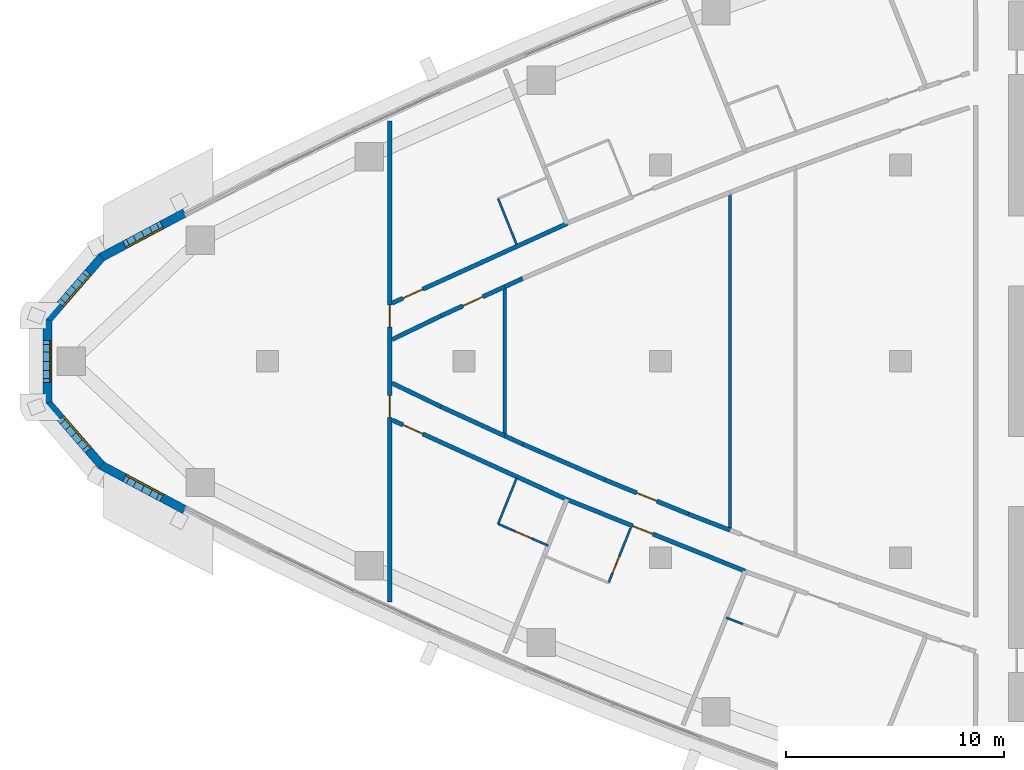
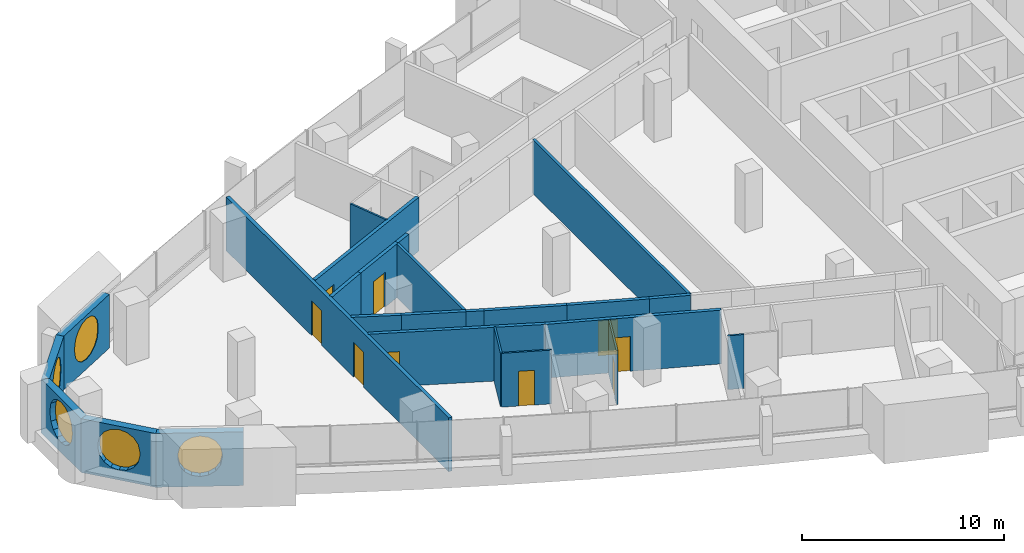
# One storey, part 9 of 17: 25 walls, 9 doors, 5 windows, 14 openings.
"""IFC4 building model written with IfcOpenShell, lengths in metres."""

import ifcopenshell
import ifcopenshell.guid

model = None  # the IFC model being written
_history = None  # IfcOwnerHistory: only IFC2X3 demands one
_inside = {}  # id of a spatial element -> (the spatial element, [elements in it])
_under = {}  # id of a project, library or spatial element -> (it, [spatial elements below it])
_declared = {}  # id of a project -> (the project, [libraries it declares])
_typed = {}  # id of a type object -> (the type object, [elements of that type])
_made_of = {}  # id of a material, layer set ... -> (it, [elements and type objects made of it])


def new_model(schema):
    """Start an empty IFC model of exactly this schema.

    Asked for "IFC4X3", IfcOpenShell would pick the latest addendum, in which some entities
    have other attributes; the version numbers below select the first issue.
    IFC2X3 requires an IfcOwnerHistory on every rooted entity: one is made here for all.
    """
    global model, _history
    if schema == "IFC4X3":
        model = ifcopenshell.file(schema_version=(4, 3, 0, 0))
    else:
        model = ifcopenshell.file(schema=schema)
    _inside.clear()
    _under.clear()
    _declared.clear()
    _typed.clear()
    _made_of.clear()
    _history = None
    if model.schema == "IFC2X3":
        org = make("IfcOrganization", Name="unknown")
        user = make(
            "IfcPersonAndOrganization",
            ThePerson=make("IfcPerson", FamilyName="unknown"),
            TheOrganization=org,
        )
        app = make(
            "IfcApplication",
            ApplicationDeveloper=org,
            Version="unknown",
            ApplicationFullName="unknown",
            ApplicationIdentifier="unknown",
        )
        _history = make(
            "IfcOwnerHistory",
            OwningUser=user,
            OwningApplication=app,
            ChangeAction="ADDED",
            CreationDate=0,
        )
    return model


def make(cls, **values):
    """One entity of the class cls with the attributes given. An attribute that is None is left unset."""
    return model.create_entity(
        cls, **{name: value for name, value in values.items() if value is not None}
    )


def rooted(cls, **values):
    """An entity with a GlobalId (a new one), such as an element, a storey or a relation."""
    return make(cls, GlobalId=ifcopenshell.guid.new(), OwnerHistory=_history, **values)


def si_unit(unit_type, name, prefix=None):
    """IfcSIUnit, for example si_unit("LENGTHUNIT", "METRE", prefix="MILLI")."""
    return make("IfcSIUnit", UnitType=unit_type, Prefix=prefix, Name=name)


def assignment(units):
    """IfcUnitAssignment: the units of a project."""
    return None if units is None else make("IfcUnitAssignment", Units=units)


def point(xyz):
    """IfcCartesianPoint."""
    return None if xyz is None else make("IfcCartesianPoint", Coordinates=xyz)


def direction(xyz):
    """IfcDirection."""
    return None if xyz is None else make("IfcDirection", DirectionRatios=xyz)


def frame(location, z_axis=None, x_axis=None):
    """IfcAxis2Placement3D, a coordinate frame: its origin and axes. An axis left out is left unset."""
    return make(
        "IfcAxis2Placement3D",
        Location=point(location),
        Axis=direction(z_axis),
        RefDirection=direction(x_axis),
    )


def frame_2d(location, x_axis=None):
    """IfcAxis2Placement2D, a coordinate frame in the plane: its origin and x axis."""
    return make(
        "IfcAxis2Placement2D", Location=point(location), RefDirection=direction(x_axis)
    )


def origin():
    """The frame at (0, 0, 0) with its axes left unset."""
    return frame((0.0, 0.0, 0.0))


def place(relative_to, where):
    """IfcLocalPlacement: puts the frame where relative to a parent placement (None: the world)."""
    return make(
        "IfcLocalPlacement", PlacementRelTo=relative_to, RelativePlacement=where
    )


def context(
    kind, dimensions, precision=None, world=None, true_north=None, identifier=None
):
    """IfcGeometricRepresentationContext, for example the 3D "Model" context."""
    return make(
        "IfcGeometricRepresentationContext",
        ContextIdentifier=identifier,
        ContextType=kind,
        CoordinateSpaceDimension=dimensions,
        Precision=precision,
        WorldCoordinateSystem=world,
        TrueNorth=true_north,
    )


def subcontext(parent, identifier, kind, view, scale=None):
    """IfcGeometricRepresentationSubContext, for example "Body" below "Model"."""
    return make(
        "IfcGeometricRepresentationSubContext",
        ContextIdentifier=identifier,
        ContextType=kind,
        ParentContext=parent,
        TargetScale=scale,
        TargetView=view,
    )


def project(units=None, contexts=None):
    """IfcProject with its units and contexts."""
    return rooted(
        "IfcProject",
        Name="project",
        RepresentationContexts=contexts,
        UnitsInContext=assignment(units),
    )


def spatial(cls, under=None, at=None, **own):
    """A site, building, storey or space (cls), placed at a placement, below another one or the project."""
    s = rooted(cls, ObjectPlacement=at, **own)
    if under is not None:
        _under.setdefault(under.id(), (under, []))[1].append(s)
    return s


def polyline(points):
    """IfcPolyline through the points."""
    return make("IfcPolyline", Points=[point(p) for p in points])


def profile(cls, at=None, kind="AREA", **sizes):
    """A parametric profile (cls). Its sizes go by their IFC names, for example OverallWidth=200.0."""
    return make(cls, ProfileType=kind, Position=at, **sizes)


def rectangle(**sizes):
    """IfcRectangleProfileDef."""
    return profile("IfcRectangleProfileDef", **sizes)


def outline(outer, holes=None, kind="AREA"):
    """IfcArbitraryClosedProfileDef: a profile drawn as a closed curve; with holes, ...WithVoids."""
    if holes is None:
        return make("IfcArbitraryClosedProfileDef", ProfileType=kind, OuterCurve=outer)
    return make(
        "IfcArbitraryProfileDefWithVoids",
        ProfileType=kind,
        OuterCurve=outer,
        InnerCurves=holes,
    )


def extrude(swept, where, along, depth):
    """IfcExtrudedAreaSolid: the profile swept, set in the frame where, extruded along a direction by depth."""
    return make(
        "IfcExtrudedAreaSolid",
        SweptArea=swept,
        Position=where,
        ExtrudedDirection=direction(along),
        Depth=depth,
    )


def shape(context_of_items, identifier, shape_type, items):
    """IfcShapeRepresentation: the items that make up one representation, for example the "Body"."""
    return make(
        "IfcShapeRepresentation",
        ContextOfItems=context_of_items,
        RepresentationIdentifier=identifier,
        RepresentationType=shape_type,
        Items=items,
    )


def material(Name=None, Category=None):
    """IfcMaterial."""
    return make("IfcMaterial", Name=Name, Category=Category)


def layer(
    of_material, thickness, ventilated=None, Name=None, Category=None, Priority=None
):
    """IfcMaterialLayer: one layer of a wall or slab, of a material (None: an air gap)."""
    return make(
        "IfcMaterialLayer",
        Material=of_material,
        LayerThickness=thickness,
        IsVentilated=ventilated,
        Name=Name,
        Category=Category,
        Priority=Priority,
    )


def layer_set(layers, Name=None):
    """IfcMaterialLayerSet."""
    return make("IfcMaterialLayerSet", MaterialLayers=layers, LayerSetName=Name)


def made_of(thing, what):
    """Note that an element or type object is made of a material, layer set ...; save() writes the relation."""
    if what is not None:
        _made_of.setdefault(what.id(), (what, []))[1].append(thing)
    return thing


def type_object(cls, material=None, **own):
    """A type object (cls), such as IfcWallType, which elements share."""
    return made_of(rooted(cls, **own), material)


def element(
    cls,
    number,
    at=None,
    inside=None,
    cuts=None,
    type_object=None,
    material=None,
    context=None,
    identifier="Body",
    shape_type=None,
    held_by="IfcProductDefinitionShape",
    body=None,
    shapes=None,
    **own,
):
    """One element of the class cls, such as IfcWall. Its Tag is "e" and its number.

    at: its placement. inside: the storey or other place that contains it. cuts: it is an
    opening in that element (IfcRelVoidsElement). A single representation is given by context,
    identifier, shape_type and body (its items); several are given by shapes. held_by: the class
    of the entity that holds the representations. save() writes the other relations.
    """
    e = rooted(cls, Tag="e%d" % number, ObjectPlacement=at, **own)
    if body is not None:
        shapes = [shape(context, identifier, shape_type, body)]
    if shapes is not None:
        e.Representation = make(held_by, Representations=shapes)
    if inside is not None:
        _inside.setdefault(inside.id(), (inside, []))[1].append(e)
    if cuts is not None:
        rooted(
            "IfcRelVoidsElement", RelatingBuildingElement=cuts, RelatedOpeningElement=e
        )
    if type_object is not None:
        _typed.setdefault(type_object.id(), (type_object, []))[1].append(e)
    return made_of(e, material)


def fill(opening, filler):
    """IfcRelFillsElement: the door or window that sits in an opening."""
    return rooted(
        "IfcRelFillsElement",
        RelatingOpeningElement=opening,
        RelatedBuildingElement=filler,
    )


def aggregate(whole, parts):
    """IfcRelAggregates: a whole, such as a stair, and the parts it consists of."""
    return rooted("IfcRelAggregates", RelatingObject=whole, RelatedObjects=parts)


def save(model, path):
    """Write the relations noted so far, then the file.

    IfcRelAggregates (storeys below a building ...), IfcRelContainedInSpatialStructure (elements
    in a storey), IfcRelDefinesByType, IfcRelAssociatesMaterial and IfcRelDeclares: one each for
    every whole, place, type object, material and project.
    """
    for whole, parts in _under.values():
        aggregate(whole, parts)
    for where, things in _inside.values():
        rooted(
            "IfcRelContainedInSpatialStructure",
            RelatedElements=things,
            RelatingStructure=where,
        )
    for kind, things in _typed.values():
        rooted("IfcRelDefinesByType", RelatedObjects=things, RelatingType=kind)
    for what, things in _made_of.values():
        rooted("IfcRelAssociatesMaterial", RelatedObjects=things, RelatingMaterial=what)
    for by, libraries in _declared.values():
        rooted("IfcRelDeclares", RelatingContext=by, RelatedDefinitions=libraries)
    model.write(path)


model = new_model("IFC4")

# Units and contexts
model_context = context("Model", 3, precision=1e-05, world=origin(), true_north=direction((0.0, 1.0)))
body_context = subcontext(model_context, "Body", "Model", "MODEL_VIEW")
ifc_project = project(units=[si_unit("LENGTHUNIT", "METRE"), si_unit("AREAUNIT", "SQUARE_METRE"), si_unit("VOLUMEUNIT", "CUBIC_METRE"), si_unit("PLANEANGLEUNIT", "RADIAN"), si_unit("MASSUNIT", "GRAM", prefix="KILO")], contexts=[model_context])

# Site, building, storey
site_placement = place(None, origin())
site = spatial("IfcSite", under=ifc_project, at=site_placement, CompositionType="ELEMENT")
building_placement = place(site_placement, origin())
building = spatial("IfcBuilding", under=site, at=building_placement, Name="Ostrand Prow Hotel Tower", CompositionType="ELEMENT")
storey_placement = place(building_placement, frame((0.0, 0.0, 196.800048828125)))
storey = spatial("IfcBuildingStorey", under=building, at=storey_placement, Name="L49", CompositionType="ELEMENT", Elevation=196.800048828125)

# Walls
ifc_material_1 = material(Name="Plasterboard partition")
ifc_layer_1 = layer(ifc_material_1, 0.10009765625)
ifc_layer_set_1 = layer_set([ifc_layer_1], Name="Plasterboard partition")
wall_type_1 = type_object("IfcWallType", Name="Partition 100 bathroom wall", PredefinedType="PARTITIONING", material=ifc_layer_set_1)
for number, where, z_axis, x_axis, name in (
    (1, (27.4189453125, 5.336181640625, 0.0), (0.0, 0.0, 1.0), (-0.373957926662, 0.927445669075, 0.0), "BATHROOM WALL"),
    (2, (26.567138671875, -7.44873046875, 0.0), (0.0, 0.0, 1.0), (0.373957926662, 0.927445669075, 0.0), "BATHROOM WALL"),
):
    element("IfcWall", number, at=place(storey_placement, frame(where, z_axis=z_axis, x_axis=x_axis)), inside=storey, type_object=wall_type_1, Name=name, PredefinedType="PARTITIONING", context=body_context, shape_type="SweptSolid", body=[
        extrude(rectangle(XDim=2.27783203125, YDim=0.10009765625, at=frame_2d((1.138916015625, 0.0))), origin(), (0.0, 0.0, 1.0), 3.25),
    ])

# Wall, opening, door
wall_1_placement = place(storey_placement, frame((28.861328125, -8.444091796875, 0.0), z_axis=(0.0, 0.0, 1.0), x_axis=(-0.917363173809, 0.398051262199, 0.0)))
wall_1 = element("IfcWall", 3, at=wall_1_placement, inside=storey, type_object=wall_type_1, Name="BATHROOM WALL", PredefinedType="PARTITIONING", context=body_context, shape_type="SweptSolid", body=[
    extrude(rectangle(XDim=2.50048828125, YDim=0.10009765625, at=frame_2d((1.250244140625, 0.0))), origin(), (0.0, 0.0, 1.0), 3.25),
])
opening_1_placement = place(wall_1_placement, frame((0.85009765625, 0.0, 0.0)))
opening_1 = element("IfcOpeningElement", 4, at=opening_1_placement, cuts=wall_1, Name="Opening D2", PredefinedType="OPENING", context=body_context, shape_type="SweptSolid", body=[
    extrude(rectangle(XDim=0.800048828125, YDim=2.10009765625, at=frame_2d((0.39990234375, 1.050048828125))), frame((0.0, 0.06005859375, 0.0), z_axis=(0.0, -1.0, 0.0), x_axis=(1.0, 0.0, 0.0)), (0.0, 0.0, 1.0), 0.1201171875),
])
ifc_material_2 = material(Name="Timber door leaf", Category="wood")
door_type_1 = type_object("IfcDoorType", Name="Bathroom door 800", OperationType="SINGLE_SWING_LEFT", PredefinedType="DOOR", material=ifc_material_2)
door_1_placement = place(opening_1_placement, origin())
door_1 = element("IfcDoor", 5, at=door_1_placement, inside=storey, type_object=door_type_1, Name="DOOR", OperationType="SINGLE_SWING_LEFT", OverallHeight=2.10009765625, OverallWidth=0.800048828125, PredefinedType="DOOR", context=body_context, shape_type="SweptSolid", body=[
    extrude(rectangle(XDim=0.800048828125, YDim=2.10009765625, at=frame_2d((0.39990234375, 1.050048828125))), frame((0.0, 0.02490234375, 0.0), z_axis=(0.0, -1.0, 0.0), x_axis=(1.0, 0.0, 0.0)), (0.0, 0.0, 1.0), 0.050048828125),
])
fill(opening_1, door_1)

wall_2_placement = place(storey_placement, frame((32.634521484375, -7.6435546875, 0.0), z_axis=(0.0, 0.0, 1.0), x_axis=(-0.373933172856, -0.927455649742, 0.0)))
wall_2 = element("IfcWall", 6, at=wall_2_placement, inside=storey, type_object=wall_type_1, Name="BATHROOM WALL", PredefinedType="PARTITIONING", context=body_context, shape_type="SweptSolid", body=[
    extrude(rectangle(XDim=2.697021484375, YDim=0.10009765625, at=frame_2d((1.3486328125, 0.0))), origin(), (0.0, 0.0, 1.0), 3.25),
])
opening_2_placement = place(wall_2_placement, frame((1.39990234375, 0.0, 0.0)))
opening_2 = element("IfcOpeningElement", 7, at=opening_2_placement, cuts=wall_2, Name="Opening D2", PredefinedType="OPENING", context=body_context, shape_type="SweptSolid", body=[
    extrude(rectangle(XDim=0.800048828125, YDim=2.10009765625, at=frame_2d((0.39990234375, 1.050048828125))), frame((0.0, 0.06005859375, 0.0), z_axis=(0.0, -1.0, 0.0), x_axis=(1.0, 0.0, 0.0)), (0.0, 0.0, 1.0), 0.1201171875),
])
door_2_placement = place(opening_2_placement, origin())
door_2 = element("IfcDoor", 8, at=door_2_placement, inside=storey, type_object=door_type_1, Name="DOOR", OperationType="SINGLE_SWING_LEFT", OverallHeight=2.10009765625, OverallWidth=0.800048828125, PredefinedType="DOOR", context=body_context, shape_type="SweptSolid", body=[
    extrude(rectangle(XDim=0.800048828125, YDim=2.10009765625, at=frame_2d((0.39990234375, 1.050048828125))), frame((0.0, 0.02490234375, 0.0), z_axis=(0.0, -1.0, 0.0), x_axis=(1.0, 0.0, 0.0)), (0.0, 0.0, 1.0), 0.050048828125),
])
fill(opening_2, door_2)

# Walls
wall_3_placement = place(storey_placement, frame((37.7802734375, -12.037353515625, 0.0), z_axis=(0.0, 0.0, 1.0), x_axis=(-0.9326493613, 0.360784102846, 0.0)))
element("IfcWall", 9, at=wall_3_placement, inside=storey, type_object=wall_type_1, Name="BATHROOM WALL", PredefinedType="PARTITIONING", context=body_context, shape_type="SweptSolid", body=[
    extrude(rectangle(XDim=0.8154296875, YDim=0.10009765625, at=frame_2d((0.40771484375, 0.0))), origin(), (0.0, 0.0, 1.0), 3.25),
])
ifc_material_3 = material(Name="Plasterboard partition")
ifc_layer_2 = layer(ifc_material_3, 0.14990234375)
ifc_layer_set_2 = layer_set([ifc_layer_2], Name="Plasterboard partition")
wall_type_2 = type_object("IfcWallType", Name="Partition 150 room partition", PredefinedType="PARTITIONING", material=ifc_layer_set_2)
wall_4_placement = place(storey_placement, frame((26.8662109375, -3.416259765625, 0.0), z_axis=(0.0, 0.0, 1.0), x_axis=(0.0, 1.0, 0.0)))
element("IfcWall", 10, at=wall_4_placement, inside=storey, type_object=wall_type_2, Name="ROOM PARTITION", PredefinedType="PARTITIONING", context=body_context, shape_type="SweptSolid", body=[
    extrude(rectangle(XDim=6.83251953125, YDim=0.14990234375, at=frame_2d((3.416259765625, 0.0))), origin(), (0.0, 0.0, 1.0), 3.25),
])
wall_5_placement = place(storey_placement, frame((37.1904296875, -7.73486328125, 0.0), z_axis=(0.0, 0.0, 1.0), x_axis=(0.0, 1.0, 0.0)))
element("IfcWall", 11, at=wall_5_placement, inside=storey, type_object=wall_type_2, Name="ROOM PARTITION", PredefinedType="PARTITIONING", context=body_context, shape_type="SweptSolid", body=[
    extrude(rectangle(XDim=15.4697265625, YDim=0.14990234375, at=frame_2d((7.73486328125, 0.0))), origin(), (0.0, 0.0, 1.0), 3.25),
])

# Wall, opening, door
ifc_material_4 = material(Name="Plasterboard partition")
ifc_layer_3 = layer(ifc_material_4, 0.199951171875)
ifc_layer_set_3 = layer_set([ifc_layer_3], Name="Plasterboard partition")
wall_type_3 = type_object("IfcWallType", Name="Partition 200 corridor wall", PredefinedType="PARTITIONING", material=ifc_layer_set_3)
wall_6_placement = place(storey_placement, frame((21.7041015625, 2.66259765625, 0.0), z_axis=(0.0, 0.0, 1.0), x_axis=(0.910233539732, 0.414095282692, 0.0)))
wall_6 = element("IfcWall", 12, at=wall_6_placement, inside=storey, type_object=wall_type_3, Name="CORRIDOR WALL", PredefinedType="PARTITIONING", context=body_context, shape_type="SweptSolid", body=[
    extrude(rectangle(XDim=8.808349609375, YDim=0.199951171875, at=frame_2d((4.404296875, 0.0))), origin(), (0.0, 0.0, 1.0), 3.25),
])
opening_3_placement = place(wall_6_placement, frame((0.550048828125, 0.0, 0.0)))
opening_3 = element("IfcOpeningElement", 13, at=opening_3_placement, cuts=wall_6, Name="Opening D1R", PredefinedType="OPENING", context=body_context, shape_type="SweptSolid", body=[
    extrude(rectangle(XDim=1.0, YDim=2.10009765625, at=frame_2d((0.5, 1.050048828125))), frame((0.0, 0.10986328125, 0.0), z_axis=(0.0, -1.0, 0.0), x_axis=(1.0, 0.0, 0.0)), (0.0, 0.0, 1.0), 0.219970703125),
])
ifc_material_5 = material(Name="Timber door leaf", Category="wood")
door_type_2 = type_object("IfcDoorType", Name="Guest room door 1000 right", OperationType="SINGLE_SWING_RIGHT", PredefinedType="DOOR", material=ifc_material_5)
door_3_placement = place(opening_3_placement, origin())
door_3 = element("IfcDoor", 14, at=door_3_placement, inside=storey, type_object=door_type_2, Name="DOOR", OperationType="SINGLE_SWING_RIGHT", OverallHeight=2.10009765625, OverallWidth=1.0, PredefinedType="DOOR", context=body_context, shape_type="SweptSolid", body=[
    extrude(rectangle(XDim=1.0, YDim=2.10009765625, at=frame_2d((0.5, 1.050048828125))), frame((0.0, 0.02490234375, 0.0), z_axis=(0.0, -1.0, 0.0), x_axis=(1.0, 0.0, 0.0)), (0.0, 0.0, 1.0), 0.050048828125),
])
fill(opening_3, door_3)

wall_7_placement = place(storey_placement, frame((21.7041015625, -2.684814453125, 0.0), z_axis=(0.0, 0.0, 1.0), x_axis=(0.910242920453, -0.414074662067, 0.0)))
wall_7 = element("IfcWall", 15, at=wall_7_placement, inside=storey, type_object=wall_type_3, Name="CORRIDOR WALL", PredefinedType="PARTITIONING", context=body_context, shape_type="SweptSolid", body=[
    extrude(rectangle(XDim=8.7998046875, YDim=0.199951171875, at=frame_2d((4.39990234375, 0.0))), origin(), (0.0, 0.0, 1.0), 3.25),
])
opening_4_placement = place(wall_7_placement, frame((0.550048828125, 0.0, 0.0)))
opening_4 = element("IfcOpeningElement", 16, at=opening_4_placement, cuts=wall_7, Name="Opening D1R", PredefinedType="OPENING", context=body_context, shape_type="SweptSolid", body=[
    extrude(rectangle(XDim=1.0, YDim=2.10009765625, at=frame_2d((0.5, 1.050048828125))), frame((0.0, 0.10986328125, 0.0), z_axis=(0.0, -1.0, 0.0), x_axis=(1.0, 0.0, 0.0)), (0.0, 0.0, 1.0), 0.219970703125),
])
door_4_placement = place(opening_4_placement, origin())
door_4 = element("IfcDoor", 17, at=door_4_placement, inside=storey, type_object=door_type_2, Name="DOOR", OperationType="SINGLE_SWING_RIGHT", OverallHeight=2.10009765625, OverallWidth=1.0, PredefinedType="DOOR", context=body_context, shape_type="SweptSolid", body=[
    extrude(rectangle(XDim=1.0, YDim=2.10009765625, at=frame_2d((0.5, 1.050048828125))), frame((0.0, 0.02490234375, 0.0), z_axis=(0.0, -1.0, 0.0), x_axis=(1.0, 0.0, 0.0)), (0.0, 0.0, 1.0), 0.050048828125),
])
fill(opening_4, door_4)

wall_8_placement = place(storey_placement, frame((29.714111328125, -6.32861328125, 0.0), z_axis=(0.0, 0.0, 1.0), x_axis=(0.927886226391, -0.372863448026, 0.0)))
wall_8 = element("IfcWall", 18, at=wall_8_placement, inside=storey, type_object=wall_type_3, Name="CORRIDOR WALL", PredefinedType="PARTITIONING", context=body_context, shape_type="SweptSolid", body=[
    extrude(rectangle(XDim=8.800048828125, YDim=0.199951171875, at=frame_2d((4.39990234375, 0.0))), origin(), (0.0, 0.0, 1.0), 3.25),
])
opening_5_placement = place(wall_8_placement, frame((3.25, 0.0, 0.0)))
opening_5 = element("IfcOpeningElement", 19, at=opening_5_placement, cuts=wall_8, Name="Opening D1R", PredefinedType="OPENING", context=body_context, shape_type="SweptSolid", body=[
    extrude(rectangle(XDim=1.0, YDim=2.10009765625, at=frame_2d((0.5, 1.050048828125))), frame((0.0, 0.10986328125, 0.0), z_axis=(0.0, -1.0, 0.0), x_axis=(1.0, 0.0, 0.0)), (0.0, 0.0, 1.0), 0.219970703125),
])
door_5_placement = place(opening_5_placement, origin())
door_5 = element("IfcDoor", 20, at=door_5_placement, inside=storey, type_object=door_type_2, Name="DOOR", OperationType="SINGLE_SWING_RIGHT", OverallHeight=2.10009765625, OverallWidth=1.0, PredefinedType="DOOR", context=body_context, shape_type="SweptSolid", body=[
    extrude(rectangle(XDim=1.0, YDim=2.10009765625, at=frame_2d((0.5, 1.050048828125))), frame((0.0, 0.02490234375, 0.0), z_axis=(0.0, -1.0, 0.0), x_axis=(1.0, 0.0, 0.0)), (0.0, 0.0, 1.0), 0.050048828125),
])
fill(opening_5, door_5)

wall_9_placement = place(storey_placement, frame((23.946533203125, 2.0791015625, 0.0), z_axis=(0.0, 0.0, 1.0), x_axis=(0.90918596673, 0.416390295157, 0.0)))
wall_9 = element("IfcWall", 21, at=wall_9_placement, inside=storey, type_object=wall_type_3, Name="CORRIDOR WALL", PredefinedType="PARTITIONING", context=body_context, shape_type="SweptSolid", body=[
    extrude(rectangle(XDim=3.21142578125, YDim=0.199951171875, at=frame_2d((1.605712890625, 0.0))), origin(), (0.0, 0.0, 1.0), 3.25),
])
opening_6_placement = place(wall_9_placement, frame((1.105712890625, 0.0, 0.0)))
opening_6 = element("IfcOpeningElement", 22, at=opening_6_placement, cuts=wall_9, Name="Opening D1", PredefinedType="OPENING", context=body_context, shape_type="SweptSolid", body=[
    extrude(rectangle(XDim=1.0, YDim=2.10009765625, at=frame_2d((0.5, 1.050048828125))), frame((0.0, 0.10986328125, 0.0), z_axis=(0.0, -1.0, 0.0), x_axis=(1.0, 0.0, 0.0)), (0.0, 0.0, 1.0), 0.219970703125),
])
ifc_material_6 = material(Name="Timber door leaf", Category="wood")
door_type_3 = type_object("IfcDoorType", Name="Guest room door 1000", OperationType="SINGLE_SWING_LEFT", PredefinedType="DOOR", material=ifc_material_6)
door_6_placement = place(opening_6_placement, origin())
door_6 = element("IfcDoor", 23, at=door_6_placement, inside=storey, type_object=door_type_3, Name="DOOR", OperationType="SINGLE_SWING_LEFT", OverallHeight=2.10009765625, OverallWidth=1.0, PredefinedType="DOOR", context=body_context, shape_type="SweptSolid", body=[
    extrude(rectangle(XDim=1.0, YDim=2.10009765625, at=frame_2d((0.5, 1.050048828125))), frame((0.0, 0.02490234375, 0.0), z_axis=(0.0, -1.0, 0.0), x_axis=(1.0, 0.0, 0.0)), (0.0, 0.0, 1.0), 0.050048828125),
])
fill(opening_6, door_6)

# Walls
for number, where, z_axis, x_axis, name in (
    (24, (23.946533203125, -2.0791015625, 0.0), (0.0, 0.0, 1.0), (-0.900633695148, 0.434579045933, 0.0), "CORRIDOR WALL"),
    (25, (21.7041015625, 0.9970703125, 0.0), (0.0, 0.0, 1.0), (0.900633695148, 0.434579045933, 0.0), "CORRIDOR WALL"),
):
    element("IfcWall", number, at=place(storey_placement, frame(where, z_axis=z_axis, x_axis=x_axis)), inside=storey, type_object=wall_type_3, Name=name, PredefinedType="PARTITIONING", context=body_context, shape_type="SweptSolid", body=[
        extrude(rectangle(XDim=2.48974609375, YDim=0.199951171875, at=frame_2d((1.244873046875, 0.0))), origin(), (0.0, 0.0, 1.0), 3.25),
    ])
wall_10_placement = place(storey_placement, frame((26.8662109375, -3.416259765625, 0.0), z_axis=(0.0, 0.0, 1.0), x_axis=(-0.90918596673, 0.416390295157, 0.0)))
element("IfcWall", 26, at=wall_10_placement, inside=storey, type_object=wall_type_3, Name="CORRIDOR WALL", PredefinedType="PARTITIONING", context=body_context, shape_type="SweptSolid", body=[
    extrude(rectangle(XDim=3.21142578125, YDim=0.199951171875, at=frame_2d((1.605712890625, 0.0))), origin(), (0.0, 0.0, 1.0), 3.25),
])

# Wall, opening, door
wall_11_placement = place(storey_placement, frame((35.275634765625, -6.994384765625, 0.0), z_axis=(0.0, 0.0, 1.0), x_axis=(-0.92520652337, 0.379463949689, 0.0)))
wall_11 = element("IfcWall", 27, at=wall_11_placement, inside=storey, type_object=wall_type_3, Name="CORRIDOR WALL", PredefinedType="PARTITIONING", context=body_context, shape_type="SweptSolid", body=[
    extrude(rectangle(XDim=4.116943359375, YDim=0.199951171875, at=frame_2d((2.05859375, 0.0))), origin(), (0.0, 0.0, 1.0), 3.25),
])
opening_7_placement = place(wall_11_placement, frame((1.55859375, 0.0, 0.0)))
opening_7 = element("IfcOpeningElement", 28, at=opening_7_placement, cuts=wall_11, Name="Opening D1R", PredefinedType="OPENING", context=body_context, shape_type="SweptSolid", body=[
    extrude(rectangle(XDim=1.0, YDim=2.10009765625, at=frame_2d((0.5, 1.050048828125))), frame((0.0, 0.10986328125, 0.0), z_axis=(0.0, -1.0, 0.0), x_axis=(1.0, 0.0, 0.0)), (0.0, 0.0, 1.0), 0.219970703125),
])
door_7_placement = place(opening_7_placement, origin())
door_7 = element("IfcDoor", 29, at=door_7_placement, inside=storey, type_object=door_type_2, Name="DOOR", OperationType="SINGLE_SWING_RIGHT", OverallHeight=2.10009765625, OverallWidth=1.0, PredefinedType="DOOR", context=body_context, shape_type="SweptSolid", body=[
    extrude(rectangle(XDim=1.0, YDim=2.10009765625, at=frame_2d((0.5, 1.050048828125))), frame((0.0, 0.02490234375, 0.0), z_axis=(0.0, -1.0, 0.0), x_axis=(1.0, 0.0, 0.0)), (0.0, 0.0, 1.0), 0.050048828125),
])
fill(opening_7, door_7)

# Walls
wall_12_placement = place(storey_placement, frame((37.1904296875, -7.73486328125, 0.0), z_axis=(0.0, 0.0, 1.0), x_axis=(-0.932688150298, 0.360683814848, 0.0)))
element("IfcWall", 30, at=wall_12_placement, inside=storey, type_object=wall_type_3, Name="CORRIDOR WALL", PredefinedType="PARTITIONING", context=body_context, shape_type="SweptSolid", body=[
    extrude(rectangle(XDim=2.052978515625, YDim=0.199951171875, at=frame_2d((1.0263671875, 0.0))), origin(), (0.0, 0.0, 1.0), 3.25),
])
wall_13_placement = place(storey_placement, frame((31.466552734375, -5.43212890625, 0.0), z_axis=(0.0, 0.0, 1.0), x_axis=(-0.917375244839, 0.398023441717, 0.0)))
element("IfcWall", 31, at=wall_13_placement, inside=storey, type_object=wall_type_3, Name="CORRIDOR WALL", PredefinedType="PARTITIONING", context=body_context, shape_type="SweptSolid", body=[
    extrude(rectangle(XDim=4.116943359375, YDim=0.199951171875, at=frame_2d((2.05859375, 0.0))), origin(), (0.0, 0.0, 1.0), 3.25),
])
for number, where, z_axis, x_axis, name in (
    (32, (27.689697265625, -3.79345703125, 0.0), (0.0, 0.0, 1.0), (-0.909162637051, 0.416441231617, 0.0), "CORRIDOR WALL"),
    (33, (26.8662109375, 3.416259765625, 0.0), (0.0, 0.0, 1.0), (0.909162637051, 0.416441231617, 0.0), "CORRIDOR WALL"),
):
    element("IfcWall", number, at=place(storey_placement, frame(where, z_axis=z_axis, x_axis=x_axis)), inside=storey, type_object=wall_type_3, Name=name, PredefinedType="PARTITIONING", context=body_context, shape_type="SweptSolid", body=[
        extrude(rectangle(XDim=0.90576171875, YDim=0.199951171875, at=frame_2d((0.452880859375, 0.0))), origin(), (0.0, 0.0, 1.0), 3.25),
    ])

# Wall, openings, doors
ifc_material_7 = material(Name="Plasterboard partition")
ifc_layer_4 = layer(ifc_material_7, 0.199951171875)
ifc_layer_set_4 = layer_set([ifc_layer_4], Name="Plasterboard partition")
wall_type_4 = type_object("IfcWallType", Name="Partition 200 lounge wall", PredefinedType="PARTITIONING", material=ifc_layer_set_4)
wall_14_placement = place(storey_placement, frame((21.60400390625, -11.015380859375, 0.0), z_axis=(0.0, 0.0, 1.0), x_axis=(0.0, 1.0, 0.0)))
wall_14 = element("IfcWall", 34, at=wall_14_placement, inside=storey, type_object=wall_type_4, Name="LOUNGE WALL", PredefinedType="PARTITIONING", context=body_context, shape_type="SweptSolid", body=[
    extrude(rectangle(XDim=22.03076171875, YDim=0.199951171875, at=frame_2d((11.015380859375, 0.0))), origin(), (0.0, 0.0, 1.0), 3.25),
])
opening_8_placement = place(wall_14_placement, frame((12.5859375, 0.0, 0.0)))
opening_8 = element("IfcOpeningElement", 35, at=opening_8_placement, cuts=wall_14, Name="Opening D1", PredefinedType="OPENING", context=body_context, shape_type="SweptSolid", body=[
    extrude(rectangle(XDim=1.0, YDim=2.10009765625, at=frame_2d((0.5, 1.050048828125))), frame((0.0, 0.10986328125, 0.0), z_axis=(0.0, -1.0, 0.0), x_axis=(1.0, 0.0, 0.0)), (0.0, 0.0, 1.0), 0.219970703125),
])
opening_9_placement = place(wall_14_placement, frame((8.444091796875, 0.0, 0.0)))
opening_9 = element("IfcOpeningElement", 36, at=opening_9_placement, cuts=wall_14, Name="Opening D1R", PredefinedType="OPENING", context=body_context, shape_type="SweptSolid", body=[
    extrude(rectangle(XDim=1.0, YDim=2.10009765625, at=frame_2d((0.5, 1.050048828125))), frame((0.0, 0.10986328125, 0.0), z_axis=(0.0, -1.0, 0.0), x_axis=(1.0, 0.0, 0.0)), (0.0, 0.0, 1.0), 0.219970703125),
])
door_8_placement = place(opening_8_placement, origin())
door_8 = element("IfcDoor", 37, at=door_8_placement, inside=storey, type_object=door_type_3, Name="DOOR", OperationType="SINGLE_SWING_LEFT", OverallHeight=2.10009765625, OverallWidth=1.0, PredefinedType="DOOR", context=body_context, shape_type="SweptSolid", body=[
    extrude(rectangle(XDim=1.0, YDim=2.10009765625, at=frame_2d((0.5, 1.050048828125))), frame((0.0, 0.02490234375, 0.0), z_axis=(0.0, -1.0, 0.0), x_axis=(1.0, 0.0, 0.0)), (0.0, 0.0, 1.0), 0.050048828125),
])
fill(opening_8, door_8)
door_9_placement = place(opening_9_placement, origin())
door_9 = element("IfcDoor", 38, at=door_9_placement, inside=storey, type_object=door_type_2, Name="DOOR", OperationType="SINGLE_SWING_RIGHT", OverallHeight=2.10009765625, OverallWidth=1.0, PredefinedType="DOOR", context=body_context, shape_type="SweptSolid", body=[
    extrude(rectangle(XDim=1.0, YDim=2.10009765625, at=frame_2d((0.5, 1.050048828125))), frame((0.0, 0.02490234375, 0.0), z_axis=(0.0, -1.0, 0.0), x_axis=(1.0, 0.0, 0.0)), (0.0, 0.0, 1.0), 0.050048828125),
])
fill(opening_9, door_9)

# Wall, opening, window
ifc_material_8 = material(Name="Precast concrete C40/50", Category="concrete")
ifc_layer_5 = layer(ifc_material_8, 0.39990234375)
ifc_layer_set_5 = layer_set([ifc_layer_5], Name="Precast concrete C40/50")
wall_type_5 = type_object("IfcWallType", Name="Stone-faced precast wall 400 mm", PredefinedType="NOTDEFINED", material=ifc_layer_set_5)
wall_15_placement = place(storey_placement, frame((12.209716796875, 6.801025390625, 0.0), z_axis=(0.0, 0.0, 1.0), x_axis=(-0.882385889746, -0.470526451518, 0.0)))
wall_15 = element("IfcWall", 39, at=wall_15_placement, inside=storey, type_object=wall_type_5, Name="Stone-faced wall prow 1", PredefinedType="NOTDEFINED", context=body_context, shape_type="SweptSolid", body=[
    extrude(outline(polyline([(0.0, -0.199951171875), (4.34423828125, -0.199951171875), (4.27001953125, 0.199951171875), (0.0, 0.199951171875), (0.0, -0.199951171875)])), origin(), (0.0, 0.0, 1.0), 3.25),
])
opening_10_placement = place(wall_15_placement, frame((1.053466796875, 0.0, 0.60009765625)))
opening_10 = element("IfcOpeningElement", 40, at=opening_10_placement, cuts=wall_15, Name="Opening WP1", PredefinedType="OPENING", context=body_context, shape_type="SweptSolid", body=[
    extrude(outline(polyline([(0.0, 1.35009765625), (0.083740234375, 1.77099609375), (0.322265625, 2.127685546875), (0.678955078125, 2.3662109375), (1.10009765625, 2.449951171875), (1.52099609375, 2.3662109375), (1.877685546875, 2.127685546875), (2.1162109375, 1.77099609375), (2.199951171875, 1.35009765625), (2.199951171875, 1.10009765625), (2.1162109375, 0.678955078125), (1.877685546875, 0.322265625), (1.52099609375, 0.083740234375), (1.10009765625, 0.0), (0.678955078125, 0.083740234375), (0.322265625, 0.322265625), (0.083740234375, 0.678955078125), (0.0, 1.099853515625), (0.0, 1.35009765625)])), frame((0.0, 0.2099609375, 0.0), z_axis=(0.0, -1.0, 0.0), x_axis=(1.0, 0.0, 0.0)), (0.0, 0.0, 1.0), 0.419921875),
])
ifc_material_9 = material(Name="Insulated glass in bronze frame", Category="glass")
window_type = type_object("IfcWindowType", Name="Round-ended prow window 2200x2450", PartitioningType="SINGLE_PANEL", PredefinedType="WINDOW", material=ifc_material_9)
window_1_placement = place(opening_10_placement, origin())
window_1 = element("IfcWindow", 41, at=window_1_placement, inside=storey, type_object=window_type, Name="Window prow 1.1", OverallHeight=2.449951171875, OverallWidth=2.199951171875, PartitioningType="SINGLE_PANEL", PredefinedType="WINDOW", context=body_context, shape_type="SweptSolid", body=[
    extrude(outline(polyline([(0.0, 1.35009765625), (0.083740234375, 1.77099609375), (0.322265625, 2.127685546875), (0.678955078125, 2.3662109375), (1.10009765625, 2.449951171875), (1.52099609375, 2.3662109375), (1.877685546875, 2.127685546875), (2.1162109375, 1.77099609375), (2.199951171875, 1.35009765625), (2.199951171875, 1.10009765625), (2.1162109375, 0.678955078125), (1.877685546875, 0.322265625), (1.52099609375, 0.083740234375), (1.10009765625, 0.0), (0.678955078125, 0.083740234375), (0.322265625, 0.322265625), (0.083740234375, 0.678955078125), (0.0, 1.099853515625), (0.0, 1.35009765625)])), frame((0.0, 0.169921875, 0.0), z_axis=(0.0, -1.0, 0.0), x_axis=(1.0, 0.0, 0.0)), (0.0, 0.0, 1.0), 0.06005859375),
])
fill(opening_10, window_1)

wall_16_placement = place(storey_placement, frame((8.4091796875, 4.7744140625, 0.0), z_axis=(0.0, 0.0, 1.0), x_axis=(-0.654759384203, -0.755837382509, 0.0)))
wall_16 = element("IfcWall", 42, at=wall_16_placement, inside=storey, type_object=wall_type_5, Name="Stone-faced wall prow 2", PredefinedType="NOTDEFINED", context=body_context, shape_type="SweptSolid", body=[
    extrude(outline(polyline([(-0.037109375, -0.199951171875), (3.87646484375, -0.199951171875), (3.72705078125, 0.199951171875), (0.037109375, 0.199951171875), (-0.037109375, -0.199951171875)])), origin(), (0.0, 0.0, 1.0), 3.25),
])
opening_11_placement = place(wall_16_placement, frame((0.80078125, 0.0, 0.60009765625)))
opening_11 = element("IfcOpeningElement", 43, at=opening_11_placement, cuts=wall_16, Name="Opening WP1", PredefinedType="OPENING", context=body_context, shape_type="SweptSolid", body=[
    extrude(outline(polyline([(0.0, 1.35009765625), (0.083740234375, 1.77099609375), (0.322265625, 2.127685546875), (0.678955078125, 2.3662109375), (1.10009765625, 2.449951171875), (1.52099609375, 2.3662109375), (1.877685546875, 2.127685546875), (2.1162109375, 1.77099609375), (2.199951171875, 1.35009765625), (2.199951171875, 1.10009765625), (2.1162109375, 0.678955078125), (1.877685546875, 0.322265625), (1.52099609375, 0.083740234375), (1.10009765625, 0.0), (0.678955078125, 0.083740234375), (0.322265625, 0.322265625), (0.083740234375, 0.678955078125), (0.0, 1.099853515625), (0.0, 1.35009765625)])), frame((0.0, 0.2099609375, 0.0), z_axis=(0.0, -1.0, 0.0), x_axis=(1.0, 0.0, 0.0)), (0.0, 0.0, 1.0), 0.419921875),
])
window_2_placement = place(opening_11_placement, origin())
window_2 = element("IfcWindow", 44, at=window_2_placement, inside=storey, type_object=window_type, Name="Window prow 2.1", OverallHeight=2.449951171875, OverallWidth=2.199951171875, PartitioningType="SINGLE_PANEL", PredefinedType="WINDOW", context=body_context, shape_type="SweptSolid", body=[
    extrude(outline(polyline([(0.0, 1.35009765625), (0.083740234375, 1.77099609375), (0.322265625, 2.127685546875), (0.678955078125, 2.3662109375), (1.10009765625, 2.449951171875), (1.52099609375, 2.3662109375), (1.877685546875, 2.127685546875), (2.1162109375, 1.77099609375), (2.199951171875, 1.35009765625), (2.199951171875, 1.10009765625), (2.1162109375, 0.678955078125), (1.877685546875, 0.322265625), (1.52099609375, 0.083740234375), (1.10009765625, 0.0), (0.678955078125, 0.083740234375), (0.322265625, 0.322265625), (0.083740234375, 0.678955078125), (0.0, 1.099853515625), (0.0, 1.35009765625)])), frame((0.0, 0.169921875, 0.0), z_axis=(0.0, -1.0, 0.0), x_axis=(1.0, 0.0, 0.0)), (0.0, 0.0, 1.0), 0.06005859375),
])
fill(opening_11, window_2)

wall_17_placement = place(storey_placement, frame((5.919921875, 1.90087890625, 0.0), z_axis=(0.0, 0.0, 1.0), x_axis=(0.0, -1.0, 0.0)))
wall_17 = element("IfcWall", 45, at=wall_17_placement, inside=storey, type_object=wall_type_5, Name="Stone-faced wall prow 3", PredefinedType="NOTDEFINED", context=body_context, shape_type="SweptSolid", body=[
    extrude(outline(polyline([(-0.07470703125, -0.199951171875), (3.87646484375, -0.199951171875), (3.72705078125, 0.199951171875), (0.07470703125, 0.199951171875), (-0.07470703125, -0.199951171875)])), origin(), (0.0, 0.0, 1.0), 3.25),
])
opening_12_placement = place(wall_17_placement, frame((0.80078125, 0.0, 0.60009765625)))
opening_12 = element("IfcOpeningElement", 46, at=opening_12_placement, cuts=wall_17, Name="Opening WP1", PredefinedType="OPENING", context=body_context, shape_type="SweptSolid", body=[
    extrude(outline(polyline([(0.0, 1.35009765625), (0.083740234375, 1.77099609375), (0.322265625, 2.127685546875), (0.678955078125, 2.3662109375), (1.10009765625, 2.449951171875), (1.52099609375, 2.3662109375), (1.877685546875, 2.127685546875), (2.1162109375, 1.77099609375), (2.199951171875, 1.35009765625), (2.199951171875, 1.10009765625), (2.1162109375, 0.678955078125), (1.877685546875, 0.322265625), (1.52099609375, 0.083740234375), (1.10009765625, 0.0), (0.678955078125, 0.083740234375), (0.322265625, 0.322265625), (0.083740234375, 0.678955078125), (0.0, 1.099853515625), (0.0, 1.35009765625)])), frame((0.0, 0.2099609375, 0.0), z_axis=(0.0, -1.0, 0.0), x_axis=(1.0, 0.0, 0.0)), (0.0, 0.0, 1.0), 0.419921875),
])
window_3_placement = place(opening_12_placement, origin())
window_3 = element("IfcWindow", 47, at=window_3_placement, inside=storey, type_object=window_type, Name="Window prow 3.1", OverallHeight=2.449951171875, OverallWidth=2.199951171875, PartitioningType="SINGLE_PANEL", PredefinedType="WINDOW", context=body_context, shape_type="SweptSolid", body=[
    extrude(outline(polyline([(0.0, 1.35009765625), (0.083740234375, 1.77099609375), (0.322265625, 2.127685546875), (0.678955078125, 2.3662109375), (1.10009765625, 2.449951171875), (1.52099609375, 2.3662109375), (1.877685546875, 2.127685546875), (2.1162109375, 1.77099609375), (2.199951171875, 1.35009765625), (2.199951171875, 1.10009765625), (2.1162109375, 0.678955078125), (1.877685546875, 0.322265625), (1.52099609375, 0.083740234375), (1.10009765625, 0.0), (0.678955078125, 0.083740234375), (0.322265625, 0.322265625), (0.083740234375, 0.678955078125), (0.0, 1.099853515625), (0.0, 1.35009765625)])), frame((0.0, 0.169921875, 0.0), z_axis=(0.0, -1.0, 0.0), x_axis=(1.0, 0.0, 0.0)), (0.0, 0.0, 1.0), 0.06005859375),
])
fill(opening_12, window_3)

wall_18_placement = place(storey_placement, frame((5.919921875, -1.90087890625, 0.0), z_axis=(0.0, 0.0, 1.0), x_axis=(0.654759384203, -0.755837382509, 0.0)))
wall_18 = element("IfcWall", 48, at=wall_18_placement, inside=storey, type_object=wall_type_5, Name="Stone-faced wall prow 4", PredefinedType="NOTDEFINED", context=body_context, shape_type="SweptSolid", body=[
    extrude(outline(polyline([(-0.07470703125, -0.199951171875), (3.8388671875, -0.199951171875), (3.7646484375, 0.199951171875), (0.07470703125, 0.199951171875), (-0.07470703125, -0.199951171875)])), origin(), (0.0, 0.0, 1.0), 3.25),
])
opening_13_placement = place(wall_18_placement, frame((0.80078125, 0.0, 0.60009765625)))
opening_13 = element("IfcOpeningElement", 49, at=opening_13_placement, cuts=wall_18, Name="Opening WP1", PredefinedType="OPENING", context=body_context, shape_type="SweptSolid", body=[
    extrude(outline(polyline([(0.0, 1.35009765625), (0.083740234375, 1.77099609375), (0.322265625, 2.127685546875), (0.678955078125, 2.3662109375), (1.10009765625, 2.449951171875), (1.52099609375, 2.3662109375), (1.877685546875, 2.127685546875), (2.1162109375, 1.77099609375), (2.199951171875, 1.35009765625), (2.199951171875, 1.10009765625), (2.1162109375, 0.678955078125), (1.877685546875, 0.322265625), (1.52099609375, 0.083740234375), (1.10009765625, 0.0), (0.678955078125, 0.083740234375), (0.322265625, 0.322265625), (0.083740234375, 0.678955078125), (0.0, 1.099853515625), (0.0, 1.35009765625)])), frame((0.0, 0.2099609375, 0.0), z_axis=(0.0, -1.0, 0.0), x_axis=(1.0, 0.0, 0.0)), (0.0, 0.0, 1.0), 0.419921875),
])
window_4_placement = place(opening_13_placement, origin())
window_4 = element("IfcWindow", 50, at=window_4_placement, inside=storey, type_object=window_type, Name="Window prow 4.1", OverallHeight=2.449951171875, OverallWidth=2.199951171875, PartitioningType="SINGLE_PANEL", PredefinedType="WINDOW", context=body_context, shape_type="SweptSolid", body=[
    extrude(outline(polyline([(0.0, 1.35009765625), (0.083740234375, 1.77099609375), (0.322265625, 2.127685546875), (0.678955078125, 2.3662109375), (1.10009765625, 2.449951171875), (1.52099609375, 2.3662109375), (1.877685546875, 2.127685546875), (2.1162109375, 1.77099609375), (2.199951171875, 1.35009765625), (2.199951171875, 1.10009765625), (2.1162109375, 0.678955078125), (1.877685546875, 0.322265625), (1.52099609375, 0.083740234375), (1.10009765625, 0.0), (0.678955078125, 0.083740234375), (0.322265625, 0.322265625), (0.083740234375, 0.678955078125), (0.0, 1.099853515625), (0.0, 1.35009765625)])), frame((0.0, 0.169921875, 0.0), z_axis=(0.0, -1.0, 0.0), x_axis=(1.0, 0.0, 0.0)), (0.0, 0.0, 1.0), 0.06005859375),
])
fill(opening_13, window_4)

wall_19_placement = place(storey_placement, frame((8.4091796875, -4.7744140625, 0.0), z_axis=(0.0, 0.0, 1.0), x_axis=(0.882385889746, -0.470526451518, 0.0)))
wall_19 = element("IfcWall", 51, at=wall_19_placement, inside=storey, type_object=wall_type_5, Name="Stone-faced wall prow 5", PredefinedType="NOTDEFINED", context=body_context, shape_type="SweptSolid", body=[
    extrude(outline(polyline([(-0.037109375, -0.199951171875), (4.30712890625, -0.199951171875), (4.30712890625, 0.199951171875), (0.037109375, 0.199951171875), (-0.037109375, -0.199951171875)])), origin(), (0.0, 0.0, 1.0), 3.25),
])
opening_14_placement = place(wall_19_placement, frame((1.053466796875, 0.0, 0.60009765625)))
opening_14 = element("IfcOpeningElement", 52, at=opening_14_placement, cuts=wall_19, Name="Opening WP1", PredefinedType="OPENING", context=body_context, shape_type="SweptSolid", body=[
    extrude(outline(polyline([(0.0, 1.35009765625), (0.083740234375, 1.77099609375), (0.322265625, 2.127685546875), (0.678955078125, 2.3662109375), (1.10009765625, 2.449951171875), (1.52099609375, 2.3662109375), (1.877685546875, 2.127685546875), (2.1162109375, 1.77099609375), (2.199951171875, 1.35009765625), (2.199951171875, 1.10009765625), (2.1162109375, 0.678955078125), (1.877685546875, 0.322265625), (1.52099609375, 0.083740234375), (1.10009765625, 0.0), (0.678955078125, 0.083740234375), (0.322265625, 0.322265625), (0.083740234375, 0.678955078125), (0.0, 1.099853515625), (0.0, 1.35009765625)])), frame((0.0, 0.2099609375, 0.0), z_axis=(0.0, -1.0, 0.0), x_axis=(1.0, 0.0, 0.0)), (0.0, 0.0, 1.0), 0.419921875),
])
window_5_placement = place(opening_14_placement, origin())
window_5 = element("IfcWindow", 53, at=window_5_placement, inside=storey, type_object=window_type, Name="Window prow 5.1", OverallHeight=2.449951171875, OverallWidth=2.199951171875, PartitioningType="SINGLE_PANEL", PredefinedType="WINDOW", context=body_context, shape_type="SweptSolid", body=[
    extrude(outline(polyline([(0.0, 1.35009765625), (0.083740234375, 1.77099609375), (0.322265625, 2.127685546875), (0.678955078125, 2.3662109375), (1.10009765625, 2.449951171875), (1.52099609375, 2.3662109375), (1.877685546875, 2.127685546875), (2.1162109375, 1.77099609375), (2.199951171875, 1.35009765625), (2.199951171875, 1.10009765625), (2.1162109375, 0.678955078125), (1.877685546875, 0.322265625), (1.52099609375, 0.083740234375), (1.10009765625, 0.0), (0.678955078125, 0.083740234375), (0.322265625, 0.322265625), (0.083740234375, 0.678955078125), (0.0, 1.099853515625), (0.0, 1.35009765625)])), frame((0.0, 0.169921875, 0.0), z_axis=(0.0, -1.0, 0.0), x_axis=(1.0, 0.0, 0.0)), (0.0, 0.0, 1.0), 0.06005859375),
])
fill(opening_14, window_5)

save(model, "model.ifc")
